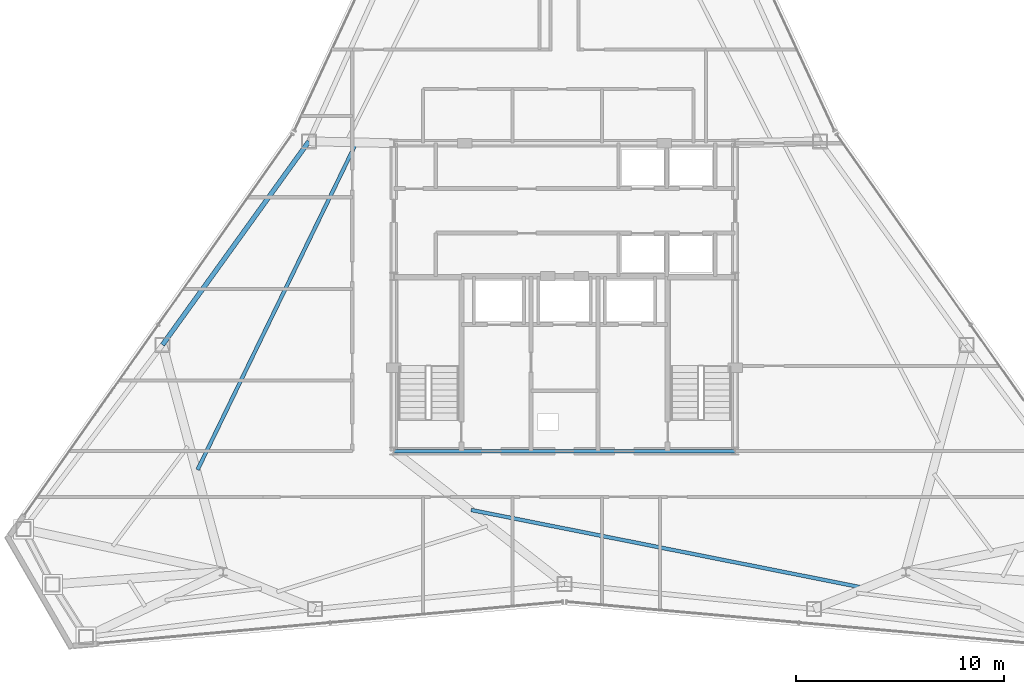
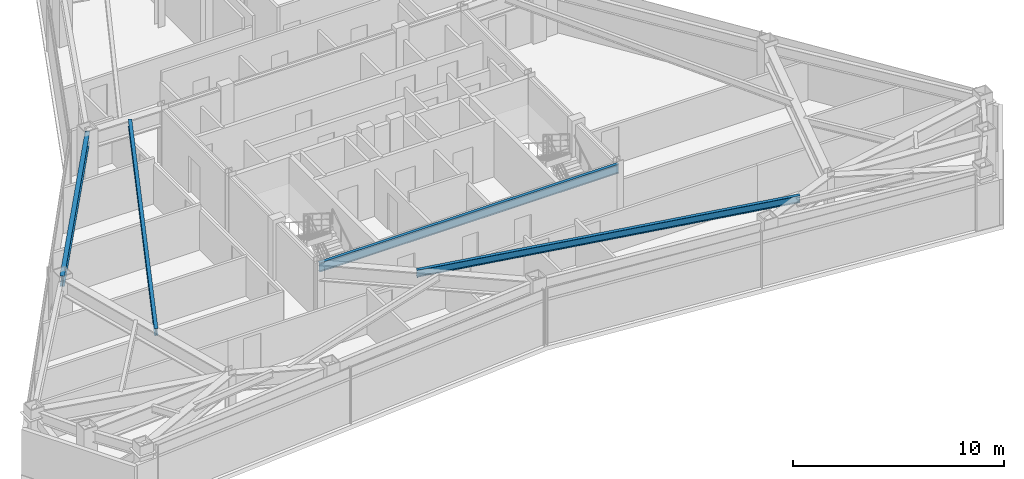
# One storey, part 4 of 12: 4 beams.
"""IFC4 building model written with IfcOpenShell, lengths in metres."""

from ifc_helpers import new_model, si_unit, direction, frame, origin, origin_2d, place, context, subcontext, project, spatial, i_section, extrude, material, material_profile, profile_set, type_object, element, save


model = new_model("IFC4")

# Units and contexts
model_context = context("Model", 3, precision=1e-05, world=origin(), true_north=direction((0.0, 1.0)))
body_context = subcontext(model_context, "Body", "Model", "MODEL_VIEW")
ifc_project = project(units=[si_unit("LENGTHUNIT", "METRE"), si_unit("AREAUNIT", "SQUARE_METRE"), si_unit("VOLUMEUNIT", "CUBIC_METRE"), si_unit("PLANEANGLEUNIT", "RADIAN"), si_unit("MASSUNIT", "GRAM", prefix="KILO")], contexts=[model_context])

# Site, building, storey
site_placement = place(None, origin())
site = spatial("IfcSite", under=ifc_project, at=site_placement, CompositionType="ELEMENT")
building_placement = place(site_placement, origin())
building = spatial("IfcBuilding", under=site, at=building_placement, Name="Varakhsha Concourse Tower", CompositionType="ELEMENT")
storey_placement = place(building_placement, frame((0.0, 0.0, 236.39990234375)))
storey = spatial("IfcBuildingStorey", under=building, at=storey_placement, Name="L67", CompositionType="ELEMENT", Elevation=236.39990234375)

# Beams
ifc_material = material(Name="Structural Steel ASTM A992 Grade 50", Category="steel")
ifc_material_profile_1 = material_profile(ifc_material, i_section(OverallWidth=0.177978515625, OverallDepth=0.406982421875, WebThickness=0.008056640625, FlangeThickness=0.012939453125, at=origin_2d()), Name="W16X40")
ifc_profile_set_1 = profile_set([ifc_material_profile_1], Name="Structural Steel ASTM A992 Grade 50")
beam_type_1 = type_object("IfcBeamType", Name="BM-JST-W16X40", PredefinedType="JOIST", material=ifc_profile_set_1)
beam_1_placement = place(storey_placement, frame((29.955810546875, 31.14111328125, 3.046630859375), z_axis=(-0.436702372914, -0.899606045717, 0.0), x_axis=(0.899606045717, -0.436702372914, 0.0)))
element("IfcBeam", 1, at=beam_1_placement, inside=storey, type_object=beam_type_1, Name="BM-TJST-L67-05", PredefinedType="JOIST", context=body_context, shape_type="SweptSolid", body=[
    extrude(i_section(OverallWidth=0.177978515625, OverallDepth=0.406982421875, WebThickness=0.008056640625, FlangeThickness=0.012939453125, at=origin_2d()), origin(), (0.0, 0.0, 1.0), 17.38720703125),
])
beam_2_placement = place(storey_placement, frame((35.515869140625, 13.5703125, 3.046630859375), z_axis=(0.980897722828, -0.194524181919, 0.0), x_axis=(0.194524181919, 0.980897722828, 0.0)))
element("IfcBeam", 2, at=beam_2_placement, inside=storey, type_object=beam_type_1, Name="BM-TJST-L67-11", PredefinedType="JOIST", context=body_context, shape_type="SweptSolid", body=[
    extrude(i_section(OverallWidth=0.177978515625, OverallDepth=0.406982421875, WebThickness=0.008056640625, FlangeThickness=0.012939453125, at=origin_2d()), origin(), (0.0, 0.0, 1.0), 19.202392578125),
])
ifc_material_profile_2 = material_profile(ifc_material, i_section(OverallWidth=0.1669921875, OverallDepth=0.534912109375, WebThickness=0.010009765625, FlangeThickness=0.01708984375, at=origin_2d()), Name="W21X57")
ifc_profile_set_2 = profile_set([ifc_material_profile_2], Name="Structural Steel ASTM A992 Grade 50")
beam_type_2 = type_object("IfcBeamType", Name="BM-RAD-W21X57", PredefinedType="BEAM", material=ifc_profile_set_2)
beam_3_placement = place(storey_placement, frame((31.800048828125, 16.39990234375, 2.982666015625), z_axis=(1.0, 0.0, 0.0), x_axis=(0.0, 1.0, 0.0)))
element("IfcBeam", 3, at=beam_3_placement, inside=storey, type_object=beam_type_2, Name="BM-TCORE-L67-CS", PredefinedType="BEAM", context=body_context, shape_type="SweptSolid", body=[
    extrude(i_section(OverallWidth=0.1669921875, OverallDepth=0.534912109375, WebThickness=0.010009765625, FlangeThickness=0.01708984375, at=origin_2d()), origin(), (0.0, 0.0, 1.0), 16.39990234375),
])
ifc_material_profile_3 = material_profile(ifc_material, i_section(OverallWidth=0.22900390625, OverallDepth=0.612060546875, WebThickness=0.011962890625, FlangeThickness=0.02001953125, at=origin_2d()), Name="W24X84")
ifc_profile_set_3 = profile_set([ifc_material_profile_3], Name="Structural Steel ASTM A992 Grade 50")
beam_type_3 = type_object("IfcBeamType", Name="BM-SPAN-W24X84", PredefinedType="SPANDREL", material=ifc_profile_set_3)
beam_4_placement = place(storey_placement, frame((27.7177734375, 31.291259765625, 2.944091796875), z_axis=(-0.584099757456, -0.811681879396, 0.0), x_axis=(0.811681879396, -0.584099757456, 0.0)))
element("IfcBeam", 4, at=beam_4_placement, inside=storey, type_object=beam_type_3, Name="BM-SPAN-L67-05", PredefinedType="SPANDREL", context=body_context, shape_type="SweptSolid", body=[
    extrude(i_section(OverallWidth=0.22900390625, OverallDepth=0.612060546875, WebThickness=0.011962890625, FlangeThickness=0.02001953125, at=origin_2d()), origin(), (0.0, 0.0, 1.0), 12.05029296875),
])

save(model, "model.ifc")
